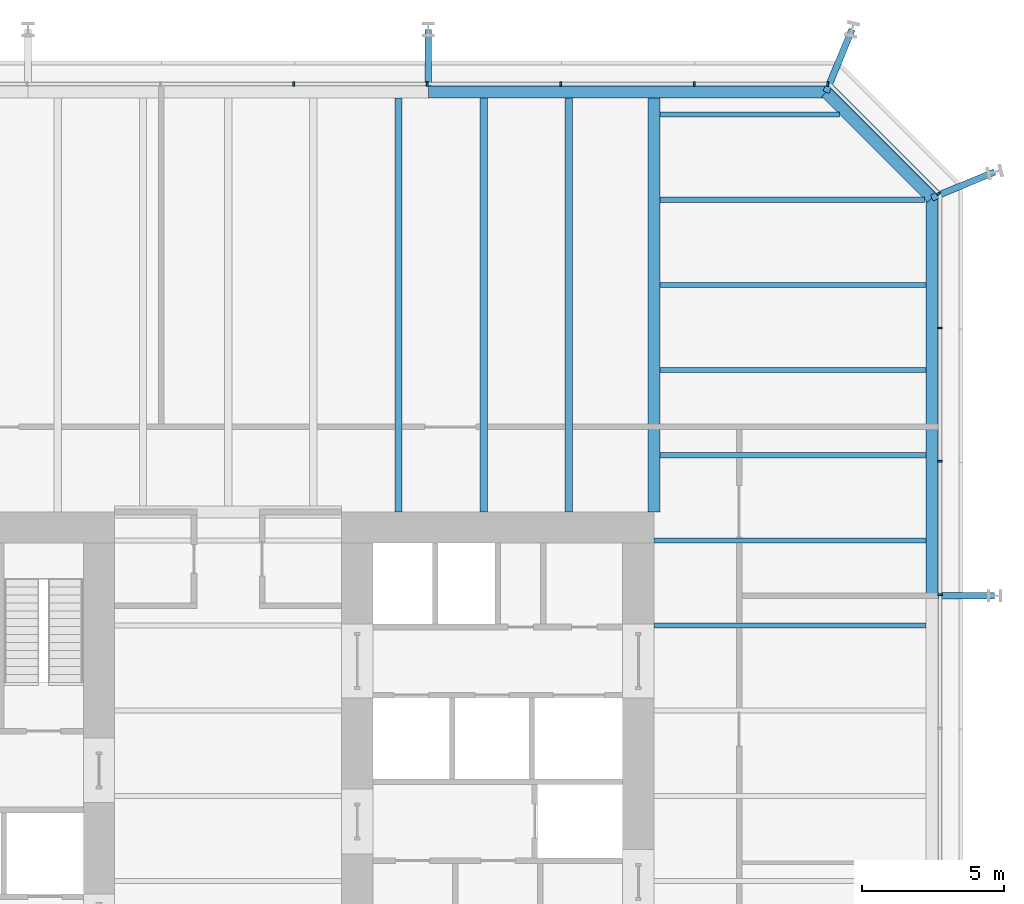
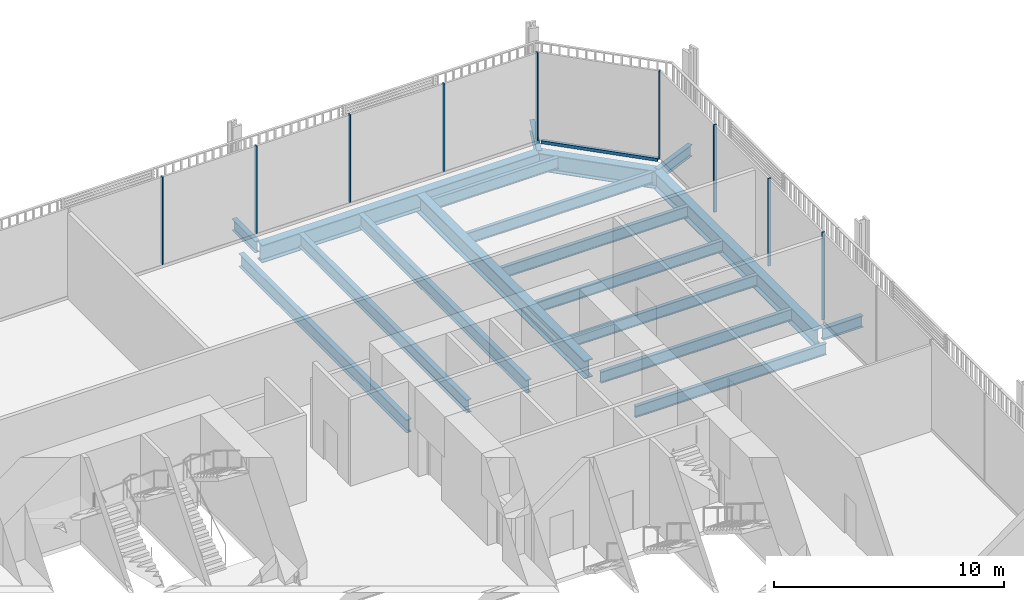
# One storey, part 16 of 22: 18 beams, 10 members, 3 elements without a shape of their own.
"""IFC4 building model written with IfcOpenShell, lengths in metres."""

from ifc_helpers import new_model, si_unit, direction, frame, origin, origin_2d, place, context, subcontext, project, spatial, rectangle, i_section, extrude, material, layer, layer_set, material_profile, profile_set, type_object, element, aggregate, save


model = new_model("IFC4")

# Units and contexts
model_context = context("Model", 3, precision=1e-05, world=origin(), true_north=direction((0.0, 1.0)))
body_context = subcontext(model_context, "Body", "Model", "MODEL_VIEW")
ifc_project = project(units=[si_unit("LENGTHUNIT", "METRE"), si_unit("AREAUNIT", "SQUARE_METRE"), si_unit("VOLUMEUNIT", "CUBIC_METRE"), si_unit("PLANEANGLEUNIT", "RADIAN"), si_unit("MASSUNIT", "GRAM", prefix="KILO")], contexts=[model_context])

# Site, building, storey
site_placement = place(None, origin())
site = spatial("IfcSite", under=ifc_project, at=site_placement, CompositionType="ELEMENT")
building_placement = place(site_placement, origin())
building = spatial("IfcBuilding", under=site, at=building_placement, Name="Millrace Tower", CompositionType="ELEMENT")
storey_placement = place(building_placement, frame((0.0, 0.0, 25.699951171875)))
storey = spatial("IfcBuildingStorey", under=building, at=storey_placement, Name="L06", CompositionType="ELEMENT", Elevation=25.699951171875)

# Curtain wall, members
ifc_material_1 = material(Name="Aluminium and glass", Category="aluminium")
ifc_layer = layer(ifc_material_1, 0.14990234375)
ifc_layer_set = layer_set([ifc_layer], Name="Aluminium and glass")
curtain_wall_type = type_object("IfcCurtainWallType", Name="CW-2 data hall insulated curtain wall", PredefinedType="NOTDEFINED", material=ifc_layer_set)
placement = place(storey_placement, origin())
curtain_wall_1 = element("IfcCurtainWall", 1, at=placement, inside=storey, type_object=curtain_wall_type, Name="Curtain wall A-F04 L06", PredefinedType="NOTDEFINED")
ifc_material_2 = material(Name="Aluminium", Category="aluminium")
ifc_material_profile_1 = material_profile(ifc_material_2, rectangle(XDim=0.06494140625, YDim=0.14990234375, at=origin_2d()))
ifc_profile_set_1 = profile_set([ifc_material_profile_1], Name="Aluminium")
member_type_1 = type_object("IfcMemberType", Name="CW-2 data hall insulated curtain wall mullion", PredefinedType="MULLION", material=ifc_profile_set_1)
member_1_placement = place(storey_placement, frame((25.074951171875, 7.08251953125, 0.16015625), z_axis=(0.0, 0.0, 1.0), x_axis=(0.0, 1.0, 0.0)))
member_1 = element("IfcMember", 2, at=member_1_placement, type_object=member_type_1, Name="CW2 mullion A-F04.7", PredefinedType="MULLION", context=body_context, shape_type="SweptSolid", body=[
    extrude(rectangle(XDim=0.06494140625, YDim=0.14990234375, at=origin_2d()), origin(), (0.0, 0.0, 1.0), 4.639892578125),
])
member_2_placement = place(storey_placement, frame((25.074951171875, 11.782470703125, 0.16015625), z_axis=(0.0, 0.0, 1.0), x_axis=(0.0, 1.0, 0.0)))
member_2 = element("IfcMember", 3, at=member_2_placement, type_object=member_type_1, Name="CW2 mullion A-F04.8", PredefinedType="MULLION", context=body_context, shape_type="SweptSolid", body=[
    extrude(rectangle(XDim=0.06494140625, YDim=0.14990234375, at=origin_2d()), origin(), (0.0, 0.0, 1.0), 4.639892578125),
])
member_3_placement = place(storey_placement, frame((25.074951171875, 16.482421875, 0.16015625), z_axis=(0.0, 0.0, 1.0), x_axis=(0.0, 1.0, 0.0)))
member_3 = element("IfcMember", 4, at=member_3_placement, type_object=member_type_1, Name="CW2 mullion A-F04.9", PredefinedType="MULLION", context=body_context, shape_type="SweptSolid", body=[
    extrude(rectangle(XDim=0.06494140625, YDim=0.14990234375, at=origin_2d()), origin(), (0.0, 0.0, 1.0), 4.639892578125),
])
aggregate(curtain_wall_1, [member_1, member_2, member_3])

# Curtain wall, member
curtain_wall_2 = element("IfcCurtainWall", 5, at=placement, inside=storey, type_object=curtain_wall_type, Name="Curtain wall A-F05 L06", PredefinedType="NOTDEFINED")
member_4_placement = place(storey_placement, frame((25.030029296875, 21.22607421875, 0.16015625), z_axis=(0.0, 0.0, 1.0), x_axis=(-0.707106781187, 0.707106781187, 0.0)))
member_4 = element("IfcMember", 6, at=member_4_placement, type_object=member_type_1, Name="CW2 mullion A-F05.1", PredefinedType="MULLION", context=body_context, shape_type="SweptSolid", body=[
    extrude(rectangle(XDim=0.06494140625, YDim=0.14990234375, at=origin_2d()), origin(), (0.0, 0.0, 1.0), 4.639892578125),
])

# Curtain wall, members
curtain_wall_3 = element("IfcCurtainWall", 7, at=placement, inside=storey, type_object=curtain_wall_type, Name="Curtain wall A-F06 L06", PredefinedType="NOTDEFINED")
member_5_placement = place(storey_placement, frame((21.117431640625, 25.074951171875, 0.16015625), z_axis=(0.0, 0.0, 1.0), x_axis=(-1.0, 0.0, 0.0)))
member_5 = element("IfcMember", 8, at=member_5_placement, type_object=member_type_1, Name="CW2 mullion A-F06.1", PredefinedType="MULLION", context=body_context, shape_type="SweptSolid", body=[
    extrude(rectangle(XDim=0.06494140625, YDim=0.14990234375, at=origin_2d()), origin(), (0.0, 0.0, 1.0), 4.639892578125),
])
member_6_placement = place(storey_placement, frame((16.41748046875, 25.074951171875, 0.16015625), z_axis=(0.0, 0.0, 1.0), x_axis=(-1.0, 0.0, 0.0)))
member_6 = element("IfcMember", 9, at=member_6_placement, type_object=member_type_1, Name="CW2 mullion A-F06.2", PredefinedType="MULLION", context=body_context, shape_type="SweptSolid", body=[
    extrude(rectangle(XDim=0.06494140625, YDim=0.14990234375, at=origin_2d()), origin(), (0.0, 0.0, 1.0), 4.639892578125),
])
member_7_placement = place(storey_placement, frame((11.717529296875, 25.074951171875, 0.16015625), z_axis=(0.0, 0.0, 1.0), x_axis=(-1.0, 0.0, 0.0)))
member_7 = element("IfcMember", 10, at=member_7_placement, type_object=member_type_1, Name="CW2 mullion A-F06.3", PredefinedType="MULLION", context=body_context, shape_type="SweptSolid", body=[
    extrude(rectangle(XDim=0.06494140625, YDim=0.14990234375, at=origin_2d()), origin(), (0.0, 0.0, 1.0), 4.639892578125),
])
member_8_placement = place(storey_placement, frame((7.017578125, 25.074951171875, 0.16015625), z_axis=(0.0, 0.0, 1.0), x_axis=(-1.0, 0.0, 0.0)))
member_8 = element("IfcMember", 11, at=member_8_placement, type_object=member_type_1, Name="CW2 mullion A-F06.4", PredefinedType="MULLION", context=body_context, shape_type="SweptSolid", body=[
    extrude(rectangle(XDim=0.06494140625, YDim=0.14990234375, at=origin_2d()), origin(), (0.0, 0.0, 1.0), 4.639892578125),
])
member_9_placement = place(storey_placement, frame((2.3173828125, 25.074951171875, 0.16015625), z_axis=(0.0, 0.0, 1.0), x_axis=(-1.0, 0.0, 0.0)))
member_9 = element("IfcMember", 12, at=member_9_placement, type_object=member_type_1, Name="CW2 mullion A-F06.5", PredefinedType="MULLION", context=body_context, shape_type="SweptSolid", body=[
    extrude(rectangle(XDim=0.06494140625, YDim=0.14990234375, at=origin_2d()), origin(), (0.0, 0.0, 1.0), 4.639892578125),
])
aggregate(curtain_wall_3, [member_5, member_6, member_7, member_8, member_9])

# Member
ifc_material_3 = material(Name="Aluminium", Category="aluminium")
ifc_material_profile_2 = material_profile(ifc_material_3, rectangle(XDim=0.14990234375, YDim=0.159912109375, at=origin_2d()))
ifc_profile_set_2 = profile_set([ifc_material_profile_2], Name="Aluminium")
member_type_2 = type_object("IfcMemberType", Name="CW-2 data hall insulated curtain wall transom", PredefinedType="USERDEFINED", material=ifc_profile_set_2)
member_10_placement = place(storey_placement, frame((24.982421875, 21.273681640625, 0.080078125), z_axis=(-0.707106781187, 0.707106781187, 0.0), x_axis=(-0.707106781187, -0.707106781187, 0.0)))
member_10 = element("IfcMember", 13, at=member_10_placement, type_object=member_type_2, Name="CW2 transom A-F05.1", ObjectType="TRANSOM", PredefinedType="USERDEFINED", context=body_context, shape_type="SweptSolid", body=[
    extrude(rectangle(XDim=0.14990234375, YDim=0.159912109375, at=origin_2d()), origin(), (0.0, 0.0, 1.0), 5.244873046875),
])

aggregate(curtain_wall_2, [member_4, member_10])

# Beams
ifc_material_4 = material(Name="Steel ASTM A992 Grade 50", Category="steel")
ifc_material_profile_3 = material_profile(ifc_material_4, i_section(OverallWidth=0.177978515625, OverallDepth=0.599365234375, WebThickness=0.010009765625, FlangeThickness=0.012939453125, FilletRadius=0.012939453125, at=origin_2d()))
ifc_profile_set_3 = profile_set([ifc_material_profile_3], Name="Steel ASTM A992 Grade 50")
beam_type_1 = type_object("IfcBeamType", Name="Floor beam W24x55", PredefinedType="JOIST", material=ifc_profile_set_3)
beam_1_placement = place(storey_placement, frame((15.212158203125, 24.0, -0.524658203125), z_axis=(1.0, 0.0, 0.0), x_axis=(0.0, 1.0, 0.0)))
element("IfcBeam", 14, at=beam_1_placement, inside=storey, type_object=beam_type_1, Name="BM-A-L06-S1-S041", PredefinedType="JOIST", context=body_context, shape_type="SweptSolid", body=[
    extrude(i_section(OverallWidth=0.177978515625, OverallDepth=0.599365234375, WebThickness=0.010009765625, FlangeThickness=0.012939453125, FilletRadius=0.012939453125, at=origin_2d()), origin(), (0.0, 0.0, 1.0), 6.317626953125),
])
ifc_material_5 = material(Name="Steel ASTM A992 Grade 50", Category="steel")
ifc_material_profile_4 = material_profile(ifc_material_5, i_section(OverallWidth=0.1787109375, OverallDepth=0.60205078125, WebThickness=0.010986328125, FlangeThickness=0.014892578125, FilletRadius=0.0126953125, at=origin_2d()))
ifc_profile_set_4 = profile_set([ifc_material_profile_4], Name="Steel ASTM A992 Grade 50")
beam_type_2 = type_object("IfcBeamType", Name="Floor beam W24x62", PredefinedType="JOIST", material=ifc_profile_set_4)
for number, where, z_axis, x_axis, name in (
    (15, (15.0, 6.0, -0.52587890625), (1.0, 0.0, 0.0), (0.0, 1.0, 0.0), "BM-A-L06-S1-S028"),
    (16, (15.0, 9.0, -0.52587890625), (1.0, 0.0, 0.0), (0.0, 1.0, 0.0), "BM-A-L06-S1-S031"),
):
    element("IfcBeam", number, at=place(storey_placement, frame(where, z_axis=z_axis, x_axis=x_axis)), inside=storey, type_object=beam_type_2, Name=name, PredefinedType="JOIST", context=body_context, shape_type="SweptSolid", body=[
        extrude(i_section(OverallWidth=0.1787109375, OverallDepth=0.60205078125, WebThickness=0.010986328125, FlangeThickness=0.014892578125, FilletRadius=0.0126953125, at=origin_2d()), origin(), (0.0, 0.0, 1.0), 9.578369140625),
    ])
for number, where, z_axis, x_axis, name in (
    (17, (15.212158203125, 12.0, -0.52587890625), (1.0, 0.0, 0.0), (0.0, 1.0, 0.0), "BM-A-L06-S1-S033"),
    (18, (15.212158203125, 15.0, -0.52587890625), (1.0, 0.0, 0.0), (0.0, 1.0, 0.0), "BM-A-L06-S1-S035"),
    (19, (15.212158203125, 18.0, -0.52587890625), (1.0, 0.0, 0.0), (0.0, 1.0, 0.0), "BM-A-L06-S1-S037"),
):
    element("IfcBeam", number, at=place(storey_placement, frame(where, z_axis=z_axis, x_axis=x_axis)), inside=storey, type_object=beam_type_2, Name=name, PredefinedType="JOIST", context=body_context, shape_type="SweptSolid", body=[
        extrude(i_section(OverallWidth=0.1787109375, OverallDepth=0.60205078125, WebThickness=0.010986328125, FlangeThickness=0.014892578125, FilletRadius=0.0126953125, at=origin_2d()), origin(), (0.0, 0.0, 1.0), 9.3662109375),
    ])
beam_2_placement = place(storey_placement, frame((15.212158203125, 21.0, -0.52587890625), z_axis=(1.0, 0.0, 0.0), x_axis=(0.0, 1.0, 0.0)))
element("IfcBeam", 20, at=beam_2_placement, inside=storey, type_object=beam_type_2, Name="BM-A-L06-S1-S039", PredefinedType="JOIST", context=body_context, shape_type="SweptSolid", body=[
    extrude(i_section(OverallWidth=0.1787109375, OverallDepth=0.60205078125, WebThickness=0.010986328125, FlangeThickness=0.014892578125, FilletRadius=0.0126953125, at=origin_2d()), origin(), (0.0, 0.0, 1.0), 9.317626953125),
])
ifc_material_6 = material(Name="Steel ASTM A992 Grade 50", Category="steel")
ifc_material_profile_5 = material_profile(ifc_material_6, i_section(OverallWidth=0.256591796875, OverallDepth=0.693359375, WebThickness=0.014404296875, FlangeThickness=0.023681640625, FilletRadius=0.01513671875, at=origin_2d()))
ifc_profile_set_5 = profile_set([ifc_material_profile_5], Name="Steel ASTM A992 Grade 50")
beam_type_3 = type_object("IfcBeamType", Name="Floor beam W27x114", PredefinedType="JOIST", material=ifc_profile_set_5)
for number, where, z_axis, x_axis, name in (
    (21, (6.0, 10.0, -0.57177734375), (0.0, 1.0, 0.0), (-1.0, 0.0, 0.0), "BM-A-L06-S1-S054"),
    (22, (9.0, 10.0, -0.57177734375), (0.0, 1.0, 0.0), (-1.0, 0.0, 0.0), "BM-A-L06-S1-S056"),
    (23, (12.0, 10.0, -0.57177734375), (0.0, 1.0, 0.0), (-1.0, 0.0, 0.0), "BM-A-L06-S1-S058"),
):
    element("IfcBeam", number, at=place(storey_placement, frame(where, z_axis=z_axis, x_axis=x_axis)), inside=storey, type_object=beam_type_3, Name=name, PredefinedType="JOIST", context=body_context, shape_type="SweptSolid", body=[
        extrude(i_section(OverallWidth=0.256591796875, OverallDepth=0.693359375, WebThickness=0.014404296875, FlangeThickness=0.023681640625, FilletRadius=0.01513671875, at=origin_2d()), origin(), (0.0, 0.0, 1.0), 14.578369140625),
    ])
ifc_material_7 = material(Name="Steel ASTM A992 Grade 50", Category="steel")
ifc_material_profile_6 = material_profile(ifc_material_7, i_section(OverallWidth=0.424072265625, OverallDepth=0.947509765625, WebThickness=0.02392578125, FlangeThickness=0.042724609375, FilletRadius=0.024169921875, at=origin_2d()))
ifc_profile_set_6 = profile_set([ifc_material_profile_6], Name="Steel ASTM A992 Grade 50")
beam_type_4 = type_object("IfcBeamType", Name="Girder medium span W36x302", PredefinedType="BEAM", material=ifc_profile_set_6)
beam_3_placement = place(storey_placement, frame((15.0, 10.0, -0.69873046875), z_axis=(0.0, 1.0, 0.0), x_axis=(-1.0, 0.0, 0.0)))
element("IfcBeam", 24, at=beam_3_placement, inside=storey, type_object=beam_type_4, Name="BM-A-L06-S1-G062", PredefinedType="BEAM", context=body_context, shape_type="SweptSolid", body=[
    extrude(i_section(OverallWidth=0.424072265625, OverallDepth=0.947509765625, WebThickness=0.02392578125, FlangeThickness=0.042724609375, FilletRadius=0.024169921875, at=origin_2d()), origin(), (0.0, 0.0, 1.0), 14.578369140625),
])
ifc_material_8 = material(Name="Steel ASTM A992 Grade 50", Category="steel")
ifc_material_profile_7 = material_profile(ifc_material_8, i_section(OverallWidth=0.23046875, OverallDepth=0.6171875, WebThickness=0.01318359375, FlangeThickness=0.022216796875, FilletRadius=0.012939453125, at=origin_2d()))
ifc_profile_set_7 = profile_set([ifc_material_profile_7], Name="Steel ASTM A992 Grade 50")
beam_type_5 = type_object("IfcBeamType", Name="Link beam W24x94", PredefinedType="BEAM", material=ifc_profile_set_7)
beam_4_placement = place(storey_placement, frame((7.050048828125, 25.0, -0.533447265625), z_axis=(0.0, 1.0, 0.0), x_axis=(-1.0, 0.0, 0.0)))
element("IfcBeam", 25, at=beam_4_placement, inside=storey, type_object=beam_type_5, Name="LNK-A-L06-S1-07", PredefinedType="BEAM", context=body_context, shape_type="SweptSolid", body=[
    extrude(i_section(OverallWidth=0.23046875, OverallDepth=0.6171875, WebThickness=0.01318359375, FlangeThickness=0.022216796875, FilletRadius=0.012939453125, at=origin_2d()), origin(), (0.0, 0.0, 1.0), 2.0),
])
for number, where, z_axis, x_axis, name in (
    (26, (21.062744140625, 24.7890625, -0.533447265625), (0.382673155247, 0.923883789366, 0.0), (-0.923883789366, 0.382673155247, 0.0), "LNK-A-L06-S1-08"),
    (27, (24.7890625, 21.062744140625, -0.533447265625), (0.923883789366, 0.382673155247, 0.0), (-0.382673155247, 0.923883789366, 0.0), "LNK-A-L06-S1-09"),
):
    element("IfcBeam", number, at=place(storey_placement, frame(where, z_axis=z_axis, x_axis=x_axis)), inside=storey, type_object=beam_type_5, Name=name, PredefinedType="BEAM", context=body_context, shape_type="SweptSolid", body=[
        extrude(i_section(OverallWidth=0.23046875, OverallDepth=0.6171875, WebThickness=0.01318359375, FlangeThickness=0.022216796875, FilletRadius=0.012939453125, at=origin_2d()), origin(), (0.0, 0.0, 1.0), 2.39306640625),
    ])
beam_5_placement = place(storey_placement, frame((25.0, 7.050048828125, -0.533447265625), z_axis=(1.0, 0.0, 0.0), x_axis=(0.0, 1.0, 0.0)))
element("IfcBeam", 28, at=beam_5_placement, inside=storey, type_object=beam_type_5, Name="LNK-A-L06-S1-10", PredefinedType="BEAM", context=body_context, shape_type="SweptSolid", body=[
    extrude(i_section(OverallWidth=0.23046875, OverallDepth=0.6171875, WebThickness=0.01318359375, FlangeThickness=0.022216796875, FilletRadius=0.012939453125, at=origin_2d()), origin(), (0.0, 0.0, 1.0), 2.0),
])
ifc_material_9 = material(Name="Steel ASTM A992 Grade 50", Category="steel")
ifc_material_profile_8 = material_profile(ifc_material_9, i_section(OverallWidth=0.421630859375, OverallDepth=0.937255859375, WebThickness=0.021240234375, FlangeThickness=0.03662109375, FilletRadius=0.024169921875, at=origin_2d()))
ifc_profile_set_8 = profile_set([ifc_material_profile_8], Name="Steel ASTM A992 Grade 50")
beam_type_6 = type_object("IfcBeamType", Name="Ring beam medium span W36x262", PredefinedType="SPANDREL", material=ifc_profile_set_8)
for number, where, z_axis, x_axis, name in (
    (29, (7.050048828125, 24.7890625, -0.693603515625), (1.0, 0.0, 0.0), (0.0, 1.0, 0.0), "RNG-A-L06-S1-07"),
    (30, (24.7890625, 21.062744140625, -0.693603515625), (0.0, -1.0, 0.0), (1.0, 0.0, 0.0), "RNG-A-L06-S1-09"),
):
    element("IfcBeam", number, at=place(storey_placement, frame(where, z_axis=z_axis, x_axis=x_axis)), inside=storey, type_object=beam_type_6, Name=name, PredefinedType="SPANDREL", context=body_context, shape_type="SweptSolid", body=[
        extrude(i_section(OverallWidth=0.421630859375, OverallDepth=0.937255859375, WebThickness=0.021240234375, FlangeThickness=0.03662109375, FilletRadius=0.024169921875, at=origin_2d()), origin(), (0.0, 0.0, 1.0), 14.0126953125),
    ])
ifc_material_10 = material(Name="Steel ASTM A992 Grade 50", Category="steel")
ifc_material_profile_9 = material_profile(ifc_material_10, i_section(OverallWidth=0.421630859375, OverallDepth=0.937255859375, WebThickness=0.021240234375, FlangeThickness=0.03662109375, FilletRadius=0.024169921875, at=origin_2d()))
ifc_profile_set_9 = profile_set([ifc_material_profile_9], Name="Steel ASTM A992 Grade 50")
beam_type_7 = type_object("IfcBeamType", Name="Ring beam short span W36x262", PredefinedType="SPANDREL", material=ifc_profile_set_9)
beam_6_placement = place(storey_placement, frame((21.062744140625, 24.7890625, -0.693603515625), z_axis=(0.707106781187, -0.707106781187, 0.0), x_axis=(0.707106781187, 0.707106781187, 0.0)))
element("IfcBeam", 31, at=beam_6_placement, inside=storey, type_object=beam_type_7, Name="RNG-A-L06-S1-08", PredefinedType="SPANDREL", context=body_context, shape_type="SweptSolid", body=[
    extrude(i_section(OverallWidth=0.421630859375, OverallDepth=0.937255859375, WebThickness=0.021240234375, FlangeThickness=0.03662109375, FilletRadius=0.024169921875, at=origin_2d()), origin(), (0.0, 0.0, 1.0), 5.269775390625),
])

save(model, "model.ifc")
